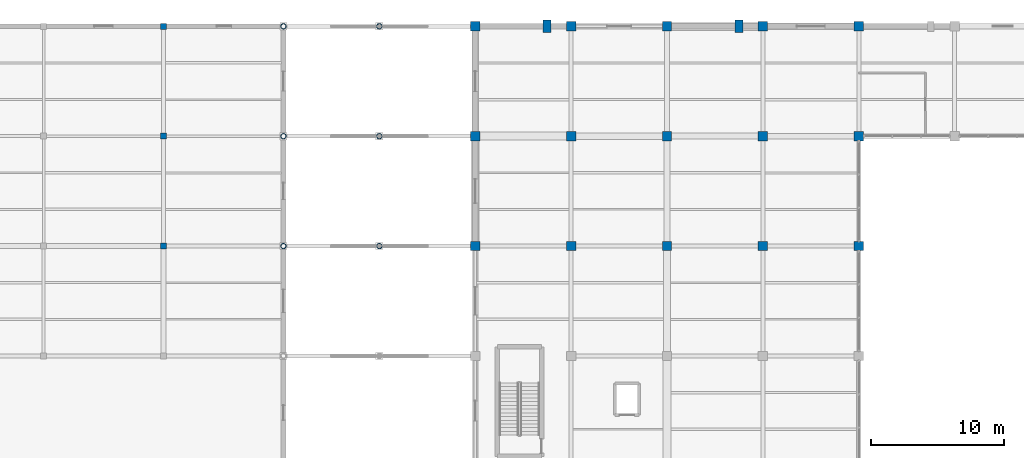
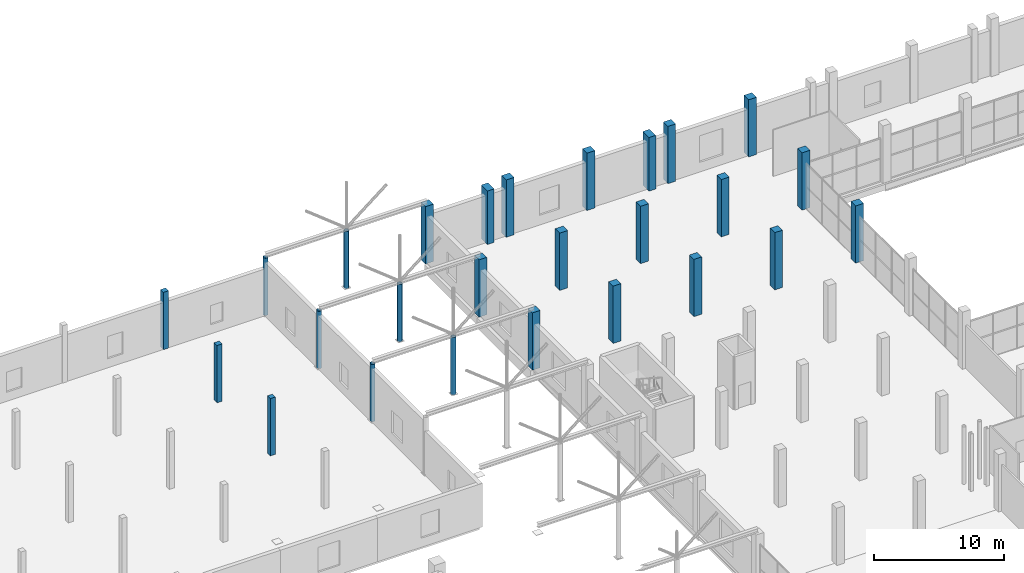
# One storey, part 8 of 147: 26 columns.
"""IFC4 building model written with IfcOpenShell, lengths in metres."""

import ifcopenshell
import ifcopenshell.guid

model = None  # the IFC model being written
_history = None  # IfcOwnerHistory: only IFC2X3 demands one
_inside = {}  # id of a spatial element -> (the spatial element, [elements in it])
_under = {}  # id of a project, library or spatial element -> (it, [spatial elements below it])
_declared = {}  # id of a project -> (the project, [libraries it declares])
_typed = {}  # id of a type object -> (the type object, [elements of that type])
_made_of = {}  # id of a material, layer set ... -> (it, [elements and type objects made of it])


def new_model(schema):
    """Start an empty IFC model of exactly this schema.

    Asked for "IFC4X3", IfcOpenShell would pick the latest addendum, in which some entities
    have other attributes; the version numbers below select the first issue.
    IFC2X3 requires an IfcOwnerHistory on every rooted entity: one is made here for all.
    """
    global model, _history
    if schema == "IFC4X3":
        model = ifcopenshell.file(schema_version=(4, 3, 0, 0))
    else:
        model = ifcopenshell.file(schema=schema)
    _inside.clear()
    _under.clear()
    _declared.clear()
    _typed.clear()
    _made_of.clear()
    _history = None
    if model.schema == "IFC2X3":
        org = make("IfcOrganization", Name="unknown")
        user = make(
            "IfcPersonAndOrganization",
            ThePerson=make("IfcPerson", FamilyName="unknown"),
            TheOrganization=org,
        )
        app = make(
            "IfcApplication",
            ApplicationDeveloper=org,
            Version="unknown",
            ApplicationFullName="unknown",
            ApplicationIdentifier="unknown",
        )
        _history = make(
            "IfcOwnerHistory",
            OwningUser=user,
            OwningApplication=app,
            ChangeAction="ADDED",
            CreationDate=0,
        )
    return model


def make(cls, **values):
    """One entity of the class cls with the attributes given. An attribute that is None is left unset."""
    return model.create_entity(
        cls, **{name: value for name, value in values.items() if value is not None}
    )


def rooted(cls, **values):
    """An entity with a GlobalId (a new one), such as an element, a storey or a relation."""
    return make(cls, GlobalId=ifcopenshell.guid.new(), OwnerHistory=_history, **values)


def si_unit(unit_type, name, prefix=None):
    """IfcSIUnit, for example si_unit("LENGTHUNIT", "METRE", prefix="MILLI")."""
    return make("IfcSIUnit", UnitType=unit_type, Prefix=prefix, Name=name)


def assignment(units):
    """IfcUnitAssignment: the units of a project."""
    return None if units is None else make("IfcUnitAssignment", Units=units)


def point(xyz):
    """IfcCartesianPoint."""
    return None if xyz is None else make("IfcCartesianPoint", Coordinates=xyz)


def direction(xyz):
    """IfcDirection."""
    return None if xyz is None else make("IfcDirection", DirectionRatios=xyz)


def frame(location, z_axis=None, x_axis=None):
    """IfcAxis2Placement3D, a coordinate frame: its origin and axes. An axis left out is left unset."""
    return make(
        "IfcAxis2Placement3D",
        Location=point(location),
        Axis=direction(z_axis),
        RefDirection=direction(x_axis),
    )


def frame_2d(location, x_axis=None):
    """IfcAxis2Placement2D, a coordinate frame in the plane: its origin and x axis."""
    return make(
        "IfcAxis2Placement2D", Location=point(location), RefDirection=direction(x_axis)
    )


def origin():
    """The frame at (0, 0, 0) with its axes left unset."""
    return frame((0.0, 0.0, 0.0))


def origin_2d():
    """The frame at (0, 0) in the plane with its x axis left unset."""
    return frame_2d((0.0, 0.0))


def place(relative_to, where):
    """IfcLocalPlacement: puts the frame where relative to a parent placement (None: the world)."""
    return make(
        "IfcLocalPlacement", PlacementRelTo=relative_to, RelativePlacement=where
    )


def context(
    kind, dimensions, precision=None, world=None, true_north=None, identifier=None
):
    """IfcGeometricRepresentationContext, for example the 3D "Model" context."""
    return make(
        "IfcGeometricRepresentationContext",
        ContextIdentifier=identifier,
        ContextType=kind,
        CoordinateSpaceDimension=dimensions,
        Precision=precision,
        WorldCoordinateSystem=world,
        TrueNorth=true_north,
    )


def subcontext(parent, identifier, kind, view, scale=None):
    """IfcGeometricRepresentationSubContext, for example "Body" below "Model"."""
    return make(
        "IfcGeometricRepresentationSubContext",
        ContextIdentifier=identifier,
        ContextType=kind,
        ParentContext=parent,
        TargetScale=scale,
        TargetView=view,
    )


def project(units=None, contexts=None):
    """IfcProject with its units and contexts."""
    return rooted(
        "IfcProject",
        Name="project",
        RepresentationContexts=contexts,
        UnitsInContext=assignment(units),
    )


def spatial(cls, under=None, at=None, **own):
    """A site, building, storey or space (cls), placed at a placement, below another one or the project."""
    s = rooted(cls, ObjectPlacement=at, **own)
    if under is not None:
        _under.setdefault(under.id(), (under, []))[1].append(s)
    return s


def profile(cls, at=None, kind="AREA", **sizes):
    """A parametric profile (cls). Its sizes go by their IFC names, for example OverallWidth=200.0."""
    return make(cls, ProfileType=kind, Position=at, **sizes)


def rectangle(**sizes):
    """IfcRectangleProfileDef."""
    return profile("IfcRectangleProfileDef", **sizes)


def hollow_circle(**sizes):
    """IfcCircleHollowProfileDef."""
    return profile("IfcCircleHollowProfileDef", **sizes)


def extrude(swept, where, along, depth):
    """IfcExtrudedAreaSolid: the profile swept, set in the frame where, extruded along a direction by depth."""
    return make(
        "IfcExtrudedAreaSolid",
        SweptArea=swept,
        Position=where,
        ExtrudedDirection=direction(along),
        Depth=depth,
    )


def shape(context_of_items, identifier, shape_type, items):
    """IfcShapeRepresentation: the items that make up one representation, for example the "Body"."""
    return make(
        "IfcShapeRepresentation",
        ContextOfItems=context_of_items,
        RepresentationIdentifier=identifier,
        RepresentationType=shape_type,
        Items=items,
    )


def material(Name=None, Category=None):
    """IfcMaterial."""
    return make("IfcMaterial", Name=Name, Category=Category)


def material_profile(
    of_material, cross_section, Name=None, Category=None, Priority=None
):
    """IfcMaterialProfile: a cross section and its material."""
    return make(
        "IfcMaterialProfile",
        Name=Name,
        Material=of_material,
        Profile=cross_section,
        Priority=Priority,
        Category=Category,
    )


def profile_set(profiles, Name=None, composite=None):
    """IfcMaterialProfileSet."""
    return make(
        "IfcMaterialProfileSet",
        Name=Name,
        MaterialProfiles=profiles,
        CompositeProfile=composite,
    )


def made_of(thing, what):
    """Note that an element or type object is made of a material, layer set ...; save() writes the relation."""
    if what is not None:
        _made_of.setdefault(what.id(), (what, []))[1].append(thing)
    return thing


def type_object(cls, material=None, **own):
    """A type object (cls), such as IfcWallType, which elements share."""
    return made_of(rooted(cls, **own), material)


def element(
    cls,
    number,
    at=None,
    inside=None,
    cuts=None,
    type_object=None,
    material=None,
    context=None,
    identifier="Body",
    shape_type=None,
    held_by="IfcProductDefinitionShape",
    body=None,
    shapes=None,
    **own,
):
    """One element of the class cls, such as IfcWall. Its Tag is "e" and its number.

    at: its placement. inside: the storey or other place that contains it. cuts: it is an
    opening in that element (IfcRelVoidsElement). A single representation is given by context,
    identifier, shape_type and body (its items); several are given by shapes. held_by: the class
    of the entity that holds the representations. save() writes the other relations.
    """
    e = rooted(cls, Tag="e%d" % number, ObjectPlacement=at, **own)
    if body is not None:
        shapes = [shape(context, identifier, shape_type, body)]
    if shapes is not None:
        e.Representation = make(held_by, Representations=shapes)
    if inside is not None:
        _inside.setdefault(inside.id(), (inside, []))[1].append(e)
    if cuts is not None:
        rooted(
            "IfcRelVoidsElement", RelatingBuildingElement=cuts, RelatedOpeningElement=e
        )
    if type_object is not None:
        _typed.setdefault(type_object.id(), (type_object, []))[1].append(e)
    return made_of(e, material)


def aggregate(whole, parts):
    """IfcRelAggregates: a whole, such as a stair, and the parts it consists of."""
    return rooted("IfcRelAggregates", RelatingObject=whole, RelatedObjects=parts)


def save(model, path):
    """Write the relations noted so far, then the file.

    IfcRelAggregates (storeys below a building ...), IfcRelContainedInSpatialStructure (elements
    in a storey), IfcRelDefinesByType, IfcRelAssociatesMaterial and IfcRelDeclares: one each for
    every whole, place, type object, material and project.
    """
    for whole, parts in _under.values():
        aggregate(whole, parts)
    for where, things in _inside.values():
        rooted(
            "IfcRelContainedInSpatialStructure",
            RelatedElements=things,
            RelatingStructure=where,
        )
    for kind, things in _typed.values():
        rooted("IfcRelDefinesByType", RelatedObjects=things, RelatingType=kind)
    for what, things in _made_of.values():
        rooted("IfcRelAssociatesMaterial", RelatedObjects=things, RelatingMaterial=what)
    for by, libraries in _declared.values():
        rooted("IfcRelDeclares", RelatingContext=by, RelatedDefinitions=libraries)
    model.write(path)


model = new_model("IFC4")

# Units and contexts
model_context = context("Model", 3, precision=1e-05, world=origin(), true_north=direction((0.0, 1.0)))
body_context = subcontext(model_context, "Body", "Model", "MODEL_VIEW")
ifc_project = project(units=[si_unit("LENGTHUNIT", "METRE"), si_unit("AREAUNIT", "SQUARE_METRE"), si_unit("VOLUMEUNIT", "CUBIC_METRE"), si_unit("PLANEANGLEUNIT", "RADIAN"), si_unit("MASSUNIT", "GRAM", prefix="KILO")], contexts=[model_context])

# Site, building, storey
site_placement = place(None, origin())
site = spatial("IfcSite", under=ifc_project, at=site_placement, CompositionType="ELEMENT")
building_placement = place(site_placement, origin())
building = spatial("IfcBuilding", under=site, at=building_placement, Name="Sundgate Opera House", CompositionType="ELEMENT")
storey_placement = place(building_placement, frame((0.0, 0.0, 6.0)))
storey = spatial("IfcBuildingStorey", under=building, at=storey_placement, Name="L01", CompositionType="ELEMENT", Elevation=6.0)

# Columns
ifc_material_1 = material(Name="Steel S355ML", Category="steel")
ifc_material_profile_1 = material_profile(ifc_material_1, hollow_circle(Radius=0.203125, WallThickness=0.02001953125, at=origin_2d()), Name="CHS 406.4x20.0")
ifc_profile_set_1 = profile_set([ifc_material_profile_1], Name="Steel S355ML")
column_type_1 = type_object("IfcColumnType", Name="CL-CHS-406", PredefinedType="COLUMN", material=ifc_profile_set_1)
for number, where, z_axis, x_axis, name in (
    (1, (81.0, 103.5, 0.0), (0.0, 0.0, 1.0), (1.0, 0.0, 0.0), "L01 Column C0573"),
    (2, (81.0, 111.75, 0.0), (0.0, 0.0, 1.0), (1.0, 0.0, 0.0), "L01 Column C0576"),
    (3, (81.0, 120.0, 0.0), (0.0, 0.0, 1.0), (1.0, 0.0, 0.0), "L01 Column C0579"),
    (4, (88.199951171875, 103.5, 0.0), (0.0, 0.0, 1.0), (1.0, 0.0, 0.0), "L01 Column C0618"),
    (5, (88.199951171875, 111.75, 0.0), (0.0, 0.0, 1.0), (1.0, 0.0, 0.0), "L01 Column C0621"),
    (6, (88.199951171875, 120.0, 0.0), (0.0, 0.0, 1.0), (1.0, 0.0, 0.0), "L01 Column C0624"),
):
    element("IfcColumn", number, at=place(storey_placement, frame(where, z_axis=z_axis, x_axis=x_axis)), inside=storey, type_object=column_type_1, Name=name, PredefinedType="COLUMN", context=body_context, shape_type="SweptSolid", body=[
        extrude(hollow_circle(Radius=0.203125, WallThickness=0.02001953125, at=origin_2d()), origin(), (0.0, 0.0, 1.0), 5.39990234375),
    ])
ifc_material_2 = material(Name="Concrete C35/45", Category="concrete")
ifc_material_profile_2 = material_profile(ifc_material_2, rectangle(XDim=0.449951171875, YDim=0.449951171875, at=origin_2d()), Name="RC 450x450")
ifc_profile_set_2 = profile_set([ifc_material_profile_2], Name="Concrete C35/45")
column_type_2 = type_object("IfcColumnType", Name="CL-RC-450", PredefinedType="COLUMN", material=ifc_profile_set_2)
for number, where, z_axis, x_axis, name in (
    (7, (72.0, 103.5, 0.0), (0.0, 0.0, 1.0), (1.0, 0.0, 0.0), "L01 Column C0510"),
    (8, (72.0, 111.75, 0.0), (0.0, 0.0, 1.0), (1.0, 0.0, 0.0), "L01 Column C0513"),
    (9, (72.0, 120.0, 0.0), (0.0, 0.0, 1.0), (1.0, 0.0, 0.0), "L01 Column C0516"),
):
    element("IfcColumn", number, at=place(storey_placement, frame(where, z_axis=z_axis, x_axis=x_axis)), inside=storey, type_object=column_type_2, Name=name, PredefinedType="COLUMN", context=body_context, shape_type="SweptSolid", body=[
        extrude(rectangle(XDim=0.449951171875, YDim=0.449951171875, at=origin_2d()), origin(), (0.0, 0.0, 1.0), 5.39990234375),
    ])
ifc_material_3 = material(Name="Concrete C40/50", Category="concrete")
ifc_material_profile_3 = material_profile(ifc_material_3, rectangle(XDim=0.699951171875, YDim=0.699951171875, at=origin_2d()), Name="RC 700x700")
ifc_profile_set_3 = profile_set([ifc_material_profile_3], Name="Concrete C40/50")
column_type_3 = type_object("IfcColumnType", Name="CL-RC-700", PredefinedType="COLUMN", material=ifc_profile_set_3)
for number, where, z_axis, x_axis, name in (
    (10, (95.39990234375, 103.5, 0.0), (0.0, 0.0, 1.0), (1.0, 0.0, 0.0), "L01 Column C0682"),
    (11, (95.39990234375, 111.75, 0.0), (0.0, 0.0, 1.0), (1.0, 0.0, 0.0), "L01 Column C0688"),
    (12, (95.39990234375, 120.0, 0.0), (0.0, 0.0, 1.0), (1.0, 0.0, 0.0), "L01 Column C0692"),
    (13, (102.60009765625, 103.5, 0.0), (0.0, 0.0, 1.0), (1.0, 0.0, 0.0), "L01 Column C0746"),
    (14, (102.60009765625, 111.75, 0.0), (0.0, 0.0, 1.0), (1.0, 0.0, 0.0), "L01 Column C0752"),
    (15, (102.60009765625, 120.0, 0.0), (0.0, 0.0, 1.0), (1.0, 0.0, 0.0), "L01 Column C0756"),
    (16, (109.800048828125, 103.5, 0.0), (0.0, 0.0, 1.0), (1.0, 0.0, 0.0), "L01 Column C0807"),
    (17, (109.800048828125, 111.75, 0.0), (0.0, 0.0, 1.0), (1.0, 0.0, 0.0), "L01 Column C0813"),
    (18, (109.800048828125, 120.0, 0.0), (0.0, 0.0, 1.0), (1.0, 0.0, 0.0), "L01 Column C0817"),
    (19, (117.0, 103.5, 0.0), (0.0, 0.0, 1.0), (1.0, 0.0, 0.0), "L01 Column C0871"),
    (20, (117.0, 111.75, 0.0), (0.0, 0.0, 1.0), (1.0, 0.0, 0.0), "L01 Column C0877"),
    (21, (117.0, 120.0, 0.0), (0.0, 0.0, 1.0), (1.0, 0.0, 0.0), "L01 Column C0881"),
    (22, (124.199951171875, 103.5, 0.0), (0.0, 0.0, 1.0), (1.0, 0.0, 0.0), "L01 Column C0934"),
    (23, (124.199951171875, 111.75, 0.0), (0.0, 0.0, 1.0), (1.0, 0.0, 0.0), "L01 Column C0940"),
    (24, (124.199951171875, 120.0, 0.0), (0.0, 0.0, 1.0), (1.0, 0.0, 0.0), "L01 Column C0944"),
):
    element("IfcColumn", number, at=place(storey_placement, frame(where, z_axis=z_axis, x_axis=x_axis)), inside=storey, type_object=column_type_3, Name=name, PredefinedType="COLUMN", context=body_context, shape_type="SweptSolid", body=[
        extrude(rectangle(XDim=0.699951171875, YDim=0.699951171875, at=origin_2d()), origin(), (0.0, 0.0, 1.0), 5.39990234375),
    ])
ifc_material_4 = material(Name="Precast concrete C40/50", Category="concrete")
ifc_material_profile_4 = material_profile(ifc_material_4, rectangle(XDim=0.60009765625, YDim=0.949951171875, at=origin_2d()), Name="RC 600x950")
ifc_profile_set_4 = profile_set([ifc_material_profile_4], Name="Precast concrete C40/50")
column_type_4 = type_object("IfcColumnType", Name="PL-RC-600", PredefinedType="PILASTER", material=ifc_profile_set_4)
for number, where, z_axis, x_axis, name in (
    (25, (100.800048828125, 120.0, 0.0), (0.0, 0.0, 1.0), (1.0, 0.0, 0.0), "L01 Facade Pilaster C1251"),
    (26, (115.199951171875, 120.0, 0.0), (0.0, 0.0, 1.0), (1.0, 0.0, 0.0), "L01 Facade Pilaster C1254"),
):
    element("IfcColumn", number, at=place(storey_placement, frame(where, z_axis=z_axis, x_axis=x_axis)), inside=storey, type_object=column_type_4, Name=name, PredefinedType="PILASTER", context=body_context, shape_type="SweptSolid", body=[
        extrude(rectangle(XDim=0.60009765625, YDim=0.949951171875, at=origin_2d()), origin(), (0.0, 0.0, 1.0), 5.050048828125),
    ])

save(model, "model.ifc")
